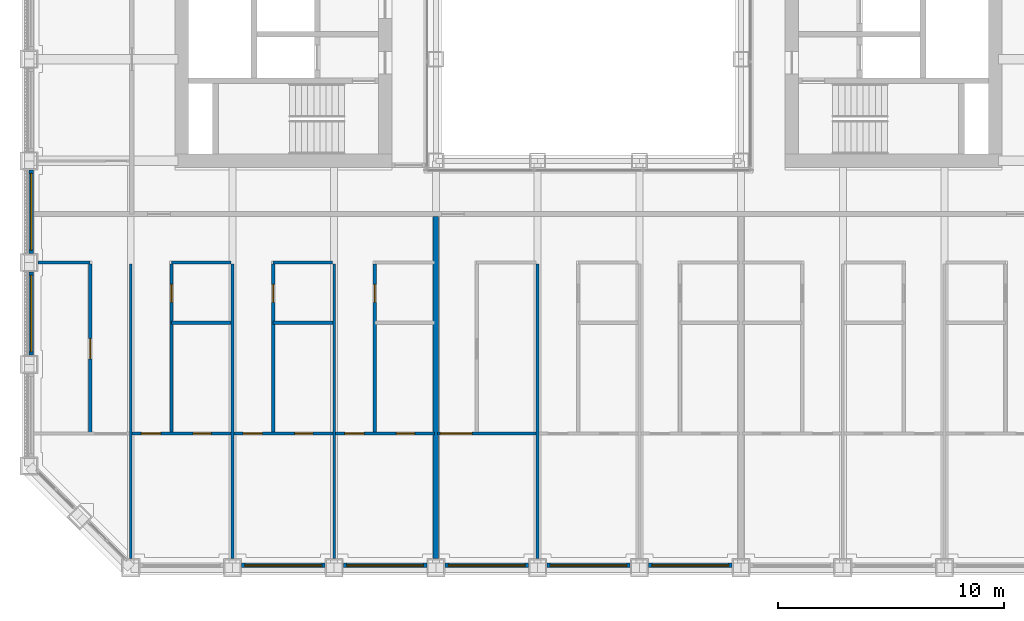
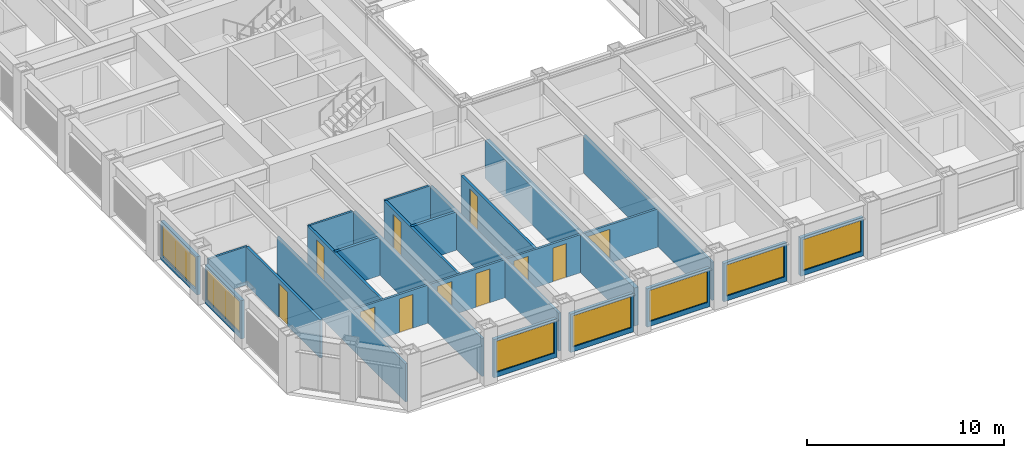
# One storey, part 9 of 21: 25 walls, 11 doors, 7 windows, 18 openings.
"""IFC4 building model written with IfcOpenShell, lengths in metres."""

from ifc_helpers import new_model, si_unit, direction, frame, frame_2d, origin, place, context, subcontext, project, spatial, rectangle, extrude, material, layer, layer_set, type_object, element, fill, save


model = new_model("IFC4")

# Units and contexts
model_context = context("Model", 3, precision=1e-05, world=origin(), true_north=direction((0.0, 1.0)))
body_context = subcontext(model_context, "Body", "Model", "MODEL_VIEW")
ifc_project = project(units=[si_unit("LENGTHUNIT", "METRE"), si_unit("AREAUNIT", "SQUARE_METRE"), si_unit("VOLUMEUNIT", "CUBIC_METRE"), si_unit("PLANEANGLEUNIT", "RADIAN"), si_unit("MASSUNIT", "GRAM", prefix="KILO")], contexts=[model_context])

# Site, building, storey
site_placement = place(None, origin())
site = spatial("IfcSite", under=ifc_project, at=site_placement, CompositionType="ELEMENT")
building_placement = place(site_placement, origin())
building = spatial("IfcBuilding", under=site, at=building_placement, Name="Msasa Ring Tower", CompositionType="ELEMENT")
storey_placement = place(building_placement, frame((0.0, 0.0, 93.0)))
storey = spatial("IfcBuildingStorey", under=building, at=storey_placement, Name="L24", CompositionType="ELEMENT", Elevation=93.0)

# Wall, opening, window
ifc_material_1 = material(Name="Terracotta rainscreen on blockwork", Category="masonry")
ifc_layer_1 = layer(ifc_material_1, 0.199951171875)
ifc_layer_set_1 = layer_set([ifc_layer_1], Name="FW1 TERRACOTTA-LINED INFILL BAY WALL 200")
wall_type_1 = type_object("IfcWallType", Name="FW1 TERRACOTTA-LINED INFILL BAY WALL 200", PredefinedType="SOLIDWALL", material=ifc_layer_set_1)
wall_1_placement = place(storey_placement, frame((-15.344970703125, -24.64990234375, 0.0), z_axis=(0.0, 0.0, 1.0), x_axis=(1.0, 0.0, 0.0)))
wall_1 = element("IfcWall", 1, at=wall_1_placement, inside=storey, type_object=wall_type_1, Name="Infill bay wall S L24 01", PredefinedType="SOLIDWALL", context=body_context, shape_type="SweptSolid", body=[
    extrude(rectangle(XDim=3.68994140625, YDim=0.199951171875, at=frame_2d((1.844970703125, 0.0))), origin(), (0.0, 0.0, 1.0), 2.37890625),
])
opening_1_placement = place(wall_1_placement, frame((0.14501953125, 0.0, 0.300048828125)))
opening_1 = element("IfcOpeningElement", 2, at=opening_1_placement, cuts=wall_1, Name="Opening WN1", PredefinedType="OPENING", context=body_context, shape_type="SweptSolid", body=[
    extrude(rectangle(XDim=3.39990234375, YDim=1.928955078125, at=frame_2d((1.699951171875, 0.96435546875))), frame((0.0, 0.10986328125, 0.0), z_axis=(0.0, -1.0, 0.0), x_axis=(1.0, 0.0, 0.0)), (0.0, 0.0, 1.0), 0.219970703125),
])
ifc_material_2 = material(Name="Aluminium frame with clear glass", Category="aluminium")
window_type = type_object("IfcWindowType", Name="WN1 RESIDENCE WINDOW 3400x1929", PartitioningType="SINGLE_PANEL", PredefinedType="WINDOW", material=ifc_material_2)
window_1_placement = place(opening_1_placement, origin())
window_1 = element("IfcWindow", 3, at=window_1_placement, inside=storey, type_object=window_type, Name="Window S L24 01", OverallHeight=1.928955078125, OverallWidth=3.39990234375, PartitioningType="SINGLE_PANEL", PredefinedType="WINDOW", context=body_context, shape_type="SweptSolid", body=[
    extrude(rectangle(XDim=3.39990234375, YDim=1.928955078125, at=frame_2d((1.699951171875, 0.96435546875))), frame((0.0, 0.030029296875, 0.0), z_axis=(0.0, -1.0, 0.0), x_axis=(1.0, 0.0, 0.0)), (0.0, 0.0, 1.0), 0.06005859375),
])
fill(opening_1, window_1)

wall_2_placement = place(storey_placement, frame((-10.844970703125, -24.64990234375, 0.0), z_axis=(0.0, 0.0, 1.0), x_axis=(1.0, 0.0, 0.0)))
wall_2 = element("IfcWall", 4, at=wall_2_placement, inside=storey, type_object=wall_type_1, Name="Infill bay wall S L24 02", PredefinedType="SOLIDWALL", context=body_context, shape_type="SweptSolid", body=[
    extrude(rectangle(XDim=3.68994140625, YDim=0.199951171875, at=frame_2d((1.844970703125, 0.0))), origin(), (0.0, 0.0, 1.0), 2.37890625),
])
opening_2_placement = place(wall_2_placement, frame((0.14501953125, 0.0, 0.300048828125)))
opening_2 = element("IfcOpeningElement", 5, at=opening_2_placement, cuts=wall_2, Name="Opening WN1", PredefinedType="OPENING", context=body_context, shape_type="SweptSolid", body=[
    extrude(rectangle(XDim=3.39990234375, YDim=1.928955078125, at=frame_2d((1.699951171875, 0.96435546875))), frame((0.0, 0.10986328125, 0.0), z_axis=(0.0, -1.0, 0.0), x_axis=(1.0, 0.0, 0.0)), (0.0, 0.0, 1.0), 0.219970703125),
])
window_2_placement = place(opening_2_placement, origin())
window_2 = element("IfcWindow", 6, at=window_2_placement, inside=storey, type_object=window_type, Name="Window S L24 02", OverallHeight=1.928955078125, OverallWidth=3.39990234375, PartitioningType="SINGLE_PANEL", PredefinedType="WINDOW", context=body_context, shape_type="SweptSolid", body=[
    extrude(rectangle(XDim=3.39990234375, YDim=1.928955078125, at=frame_2d((1.699951171875, 0.96435546875))), frame((0.0, 0.030029296875, 0.0), z_axis=(0.0, -1.0, 0.0), x_axis=(1.0, 0.0, 0.0)), (0.0, 0.0, 1.0), 0.06005859375),
])
fill(opening_2, window_2)

wall_3_placement = place(storey_placement, frame((-6.344970703125, -24.64990234375, 0.0), z_axis=(0.0, 0.0, 1.0), x_axis=(1.0, 0.0, 0.0)))
wall_3 = element("IfcWall", 7, at=wall_3_placement, inside=storey, type_object=wall_type_1, Name="Infill bay wall S L24 03", PredefinedType="SOLIDWALL", context=body_context, shape_type="SweptSolid", body=[
    extrude(rectangle(XDim=3.68994140625, YDim=0.199951171875, at=frame_2d((1.844970703125, 0.0))), origin(), (0.0, 0.0, 1.0), 2.37890625),
])
opening_3_placement = place(wall_3_placement, frame((0.14501953125, 0.0, 0.300048828125)))
opening_3 = element("IfcOpeningElement", 8, at=opening_3_placement, cuts=wall_3, Name="Opening WN1", PredefinedType="OPENING", context=body_context, shape_type="SweptSolid", body=[
    extrude(rectangle(XDim=3.39990234375, YDim=1.928955078125, at=frame_2d((1.699951171875, 0.96435546875))), frame((0.0, 0.10986328125, 0.0), z_axis=(0.0, -1.0, 0.0), x_axis=(1.0, 0.0, 0.0)), (0.0, 0.0, 1.0), 0.219970703125),
])
window_3_placement = place(opening_3_placement, origin())
window_3 = element("IfcWindow", 9, at=window_3_placement, inside=storey, type_object=window_type, Name="Window S L24 03", OverallHeight=1.928955078125, OverallWidth=3.39990234375, PartitioningType="SINGLE_PANEL", PredefinedType="WINDOW", context=body_context, shape_type="SweptSolid", body=[
    extrude(rectangle(XDim=3.39990234375, YDim=1.928955078125, at=frame_2d((1.699951171875, 0.96435546875))), frame((0.0, 0.030029296875, 0.0), z_axis=(0.0, -1.0, 0.0), x_axis=(1.0, 0.0, 0.0)), (0.0, 0.0, 1.0), 0.06005859375),
])
fill(opening_3, window_3)

wall_4_placement = place(storey_placement, frame((-1.844970703125, -24.64990234375, 0.0), z_axis=(0.0, 0.0, 1.0), x_axis=(1.0, 0.0, 0.0)))
wall_4 = element("IfcWall", 10, at=wall_4_placement, inside=storey, type_object=wall_type_1, Name="Infill bay wall S L24 04", PredefinedType="SOLIDWALL", context=body_context, shape_type="SweptSolid", body=[
    extrude(rectangle(XDim=3.68994140625, YDim=0.199951171875, at=frame_2d((1.844970703125, 0.0))), origin(), (0.0, 0.0, 1.0), 2.37890625),
])
opening_4_placement = place(wall_4_placement, frame((0.14501953125, 0.0, 0.300048828125)))
opening_4 = element("IfcOpeningElement", 11, at=opening_4_placement, cuts=wall_4, Name="Opening WN1", PredefinedType="OPENING", context=body_context, shape_type="SweptSolid", body=[
    extrude(rectangle(XDim=3.39990234375, YDim=1.928955078125, at=frame_2d((1.699951171875, 0.96435546875))), frame((0.0, 0.10986328125, 0.0), z_axis=(0.0, -1.0, 0.0), x_axis=(1.0, 0.0, 0.0)), (0.0, 0.0, 1.0), 0.219970703125),
])
window_4_placement = place(opening_4_placement, origin())
window_4 = element("IfcWindow", 12, at=window_4_placement, inside=storey, type_object=window_type, Name="Window S L24 04", OverallHeight=1.928955078125, OverallWidth=3.39990234375, PartitioningType="SINGLE_PANEL", PredefinedType="WINDOW", context=body_context, shape_type="SweptSolid", body=[
    extrude(rectangle(XDim=3.39990234375, YDim=1.928955078125, at=frame_2d((1.699951171875, 0.96435546875))), frame((0.0, 0.030029296875, 0.0), z_axis=(0.0, -1.0, 0.0), x_axis=(1.0, 0.0, 0.0)), (0.0, 0.0, 1.0), 0.06005859375),
])
fill(opening_4, window_4)

wall_5_placement = place(storey_placement, frame((2.655029296875, -24.64990234375, 0.0), z_axis=(0.0, 0.0, 1.0), x_axis=(1.0, 0.0, 0.0)))
wall_5 = element("IfcWall", 13, at=wall_5_placement, inside=storey, type_object=wall_type_1, Name="Infill bay wall S L24 05", PredefinedType="SOLIDWALL", context=body_context, shape_type="SweptSolid", body=[
    extrude(rectangle(XDim=3.68994140625, YDim=0.199951171875, at=frame_2d((1.844970703125, 0.0))), origin(), (0.0, 0.0, 1.0), 2.37890625),
])
opening_5_placement = place(wall_5_placement, frame((0.14501953125, 0.0, 0.300048828125)))
opening_5 = element("IfcOpeningElement", 14, at=opening_5_placement, cuts=wall_5, Name="Opening WN1", PredefinedType="OPENING", context=body_context, shape_type="SweptSolid", body=[
    extrude(rectangle(XDim=3.39990234375, YDim=1.928955078125, at=frame_2d((1.699951171875, 0.96435546875))), frame((0.0, 0.10986328125, 0.0), z_axis=(0.0, -1.0, 0.0), x_axis=(1.0, 0.0, 0.0)), (0.0, 0.0, 1.0), 0.219970703125),
])
window_5_placement = place(opening_5_placement, origin())
window_5 = element("IfcWindow", 15, at=window_5_placement, inside=storey, type_object=window_type, Name="Window S L24 05", OverallHeight=1.928955078125, OverallWidth=3.39990234375, PartitioningType="SINGLE_PANEL", PredefinedType="WINDOW", context=body_context, shape_type="SweptSolid", body=[
    extrude(rectangle(XDim=3.39990234375, YDim=1.928955078125, at=frame_2d((1.699951171875, 0.96435546875))), frame((0.0, 0.030029296875, 0.0), z_axis=(0.0, -1.0, 0.0), x_axis=(1.0, 0.0, 0.0)), (0.0, 0.0, 1.0), 0.06005859375),
])
fill(opening_5, window_5)

wall_6_placement = place(storey_placement, frame((-24.64990234375, -15.344970703125, 0.0), z_axis=(0.0, 0.0, 1.0), x_axis=(0.0, 1.0, 0.0)))
wall_6 = element("IfcWall", 16, at=wall_6_placement, inside=storey, type_object=wall_type_1, Name="Infill bay wall W L24 34", PredefinedType="SOLIDWALL", context=body_context, shape_type="SweptSolid", body=[
    extrude(rectangle(XDim=3.68994140625, YDim=0.199951171875, at=frame_2d((1.844970703125, 0.0))), origin(), (0.0, 0.0, 1.0), 2.37890625),
])
opening_6_placement = place(wall_6_placement, frame((0.14501953125, 0.0, 0.300048828125)))
opening_6 = element("IfcOpeningElement", 17, at=opening_6_placement, cuts=wall_6, Name="Opening WN1", PredefinedType="OPENING", context=body_context, shape_type="SweptSolid", body=[
    extrude(rectangle(XDim=3.39990234375, YDim=1.928955078125, at=frame_2d((1.699951171875, 0.96435546875))), frame((0.0, 0.10986328125, 0.0), z_axis=(0.0, -1.0, 0.0), x_axis=(1.0, 0.0, 0.0)), (0.0, 0.0, 1.0), 0.219970703125),
])
window_6_placement = place(opening_6_placement, origin())
window_6 = element("IfcWindow", 18, at=window_6_placement, inside=storey, type_object=window_type, Name="Window W L24 34", OverallHeight=1.928955078125, OverallWidth=3.39990234375, PartitioningType="SINGLE_PANEL", PredefinedType="WINDOW", context=body_context, shape_type="SweptSolid", body=[
    extrude(rectangle(XDim=3.39990234375, YDim=1.928955078125, at=frame_2d((1.699951171875, 0.96435546875))), frame((0.0, 0.030029296875, 0.0), z_axis=(0.0, -1.0, 0.0), x_axis=(1.0, 0.0, 0.0)), (0.0, 0.0, 1.0), 0.06005859375),
])
fill(opening_6, window_6)

wall_7_placement = place(storey_placement, frame((-24.64990234375, -10.844970703125, 0.0), z_axis=(0.0, 0.0, 1.0), x_axis=(0.0, 1.0, 0.0)))
wall_7 = element("IfcWall", 19, at=wall_7_placement, inside=storey, type_object=wall_type_1, Name="Infill bay wall W L24 35", PredefinedType="SOLIDWALL", context=body_context, shape_type="SweptSolid", body=[
    extrude(rectangle(XDim=3.68994140625, YDim=0.199951171875, at=frame_2d((1.844970703125, 0.0))), origin(), (0.0, 0.0, 1.0), 2.37890625),
])
opening_7_placement = place(wall_7_placement, frame((0.14501953125, 0.0, 0.300048828125)))
opening_7 = element("IfcOpeningElement", 20, at=opening_7_placement, cuts=wall_7, Name="Opening WN1", PredefinedType="OPENING", context=body_context, shape_type="SweptSolid", body=[
    extrude(rectangle(XDim=3.39990234375, YDim=1.928955078125, at=frame_2d((1.699951171875, 0.96435546875))), frame((0.0, 0.10986328125, 0.0), z_axis=(0.0, -1.0, 0.0), x_axis=(1.0, 0.0, 0.0)), (0.0, 0.0, 1.0), 0.219970703125),
])
window_7_placement = place(opening_7_placement, origin())
window_7 = element("IfcWindow", 21, at=window_7_placement, inside=storey, type_object=window_type, Name="Window W L24 35", OverallHeight=1.928955078125, OverallWidth=3.39990234375, PartitioningType="SINGLE_PANEL", PredefinedType="WINDOW", context=body_context, shape_type="SweptSolid", body=[
    extrude(rectangle(XDim=3.39990234375, YDim=1.928955078125, at=frame_2d((1.699951171875, 0.96435546875))), frame((0.0, 0.030029296875, 0.0), z_axis=(0.0, -1.0, 0.0), x_axis=(1.0, 0.0, 0.0)), (0.0, 0.0, 1.0), 0.06005859375),
])
fill(opening_7, window_7)

# Wall
ifc_material_3 = material(Name="Dense concrete blockwork, plastered both faces", Category="masonry")
ifc_layer_2 = layer(ifc_material_3, 0.25)
ifc_layer_set_2 = layer_set([ifc_layer_2], Name="PT3 APARTMENT SEPARATING WALL 250")
wall_type_2 = type_object("IfcWallType", Name="PT3 APARTMENT SEPARATING WALL 250", PredefinedType="PARTITIONING", material=ifc_layer_set_2)
wall_8_placement = place(storey_placement, frame((-6.75, -24.35009765625, 0.0), z_axis=(0.0, 0.0, 1.0), x_axis=(0.0, 1.0, 0.0)))
element("IfcWall", 22, at=wall_8_placement, inside=storey, type_object=wall_type_2, Name="Party wall L24-PWS-6.75", PredefinedType="PARTITIONING", context=body_context, shape_type="SweptSolid", body=[
    extrude(rectangle(XDim=15.150146484375, YDim=0.25, at=frame_2d((7.5751953125, 0.0))), origin(), (0.0, 0.0, 1.0), 2.373291015625),
])

# Wall, opening, door
ifc_material_4 = material(Name="Moisture-resistant board on steel studs with a concealed cistern and pipe void, tiled", Category="steel")
ifc_layer_3 = layer(ifc_material_4, 0.14990234375)
ifc_layer_set_3 = layer_set([ifc_layer_3], Name="PT4 BATHROOM WET WALL 150")
wall_type_3 = type_object("IfcWallType", Name="PT4 BATHROOM WET WALL 150", PredefinedType="PARTITIONING", material=ifc_layer_set_3)
wall_9_placement = place(storey_placement, frame((-22.050048828125, -18.8125, 0.0), z_axis=(0.0, 0.0, 1.0), x_axis=(0.0, 1.0, 0.0)))
wall_9 = element("IfcWall", 23, at=wall_9_placement, inside=storey, type_object=wall_type_3, Name="Partition L24-US00SX0", PredefinedType="PARTITIONING", context=body_context, shape_type="SweptSolid", body=[
    extrude(rectangle(XDim=7.5, YDim=0.14990234375, at=frame_2d((3.75, 0.0))), origin(), (0.0, 0.0, 1.0), 2.373291015625),
])
opening_8_placement = place(wall_9_placement, frame((3.300048828125, 0.0, 0.0)))
opening_8 = element("IfcOpeningElement", 24, at=opening_8_placement, cuts=wall_9, Name="Opening RG-061", PredefinedType="OPENING", context=body_context, shape_type="SweptSolid", body=[
    extrude(rectangle(XDim=0.89990234375, YDim=2.10009765625, at=frame_2d((0.449951171875, 1.050048828125))), frame((0.0, 0.0849609375, 0.0), z_axis=(0.0, -1.0, 0.0), x_axis=(1.0, 0.0, 0.0)), (0.0, 0.0, 1.0), 0.169921875),
])
ifc_material_5 = material(Name="Timber door leaf in a steel frame", Category="steel")
door_type_1 = type_object("IfcDoorType", Name="D22 INTERNAL HALL DOOR 900x2100", OperationType="SINGLE_SWING_LEFT", PredefinedType="DOOR", material=ifc_material_5)
door_1_placement = place(opening_8_placement, origin())
door_1 = element("IfcDoor", 25, at=door_1_placement, inside=storey, type_object=door_type_1, Name="Door L24-US00K", OperationType="SINGLE_SWING_LEFT", OverallHeight=2.10009765625, OverallWidth=0.89990234375, PredefinedType="DOOR", context=body_context, shape_type="SweptSolid", body=[
    extrude(rectangle(XDim=0.89990234375, YDim=2.10009765625, at=frame_2d((0.449951171875, 1.050048828125))), frame((0.0, 0.02490234375, 0.0), z_axis=(0.0, -1.0, 0.0), x_axis=(1.0, 0.0, 0.0)), (0.0, 0.0, 1.0), 0.050048828125),
])
fill(opening_8, door_1)

wall_10_placement = place(storey_placement, frame((-18.449951171875, -18.8125, 0.0), z_axis=(0.0, 0.0, 1.0), x_axis=(0.0, 1.0, 0.0)))
wall_10 = element("IfcWall", 26, at=wall_10_placement, inside=storey, type_object=wall_type_3, Name="Partition L24-US00SX1", PredefinedType="PARTITIONING", context=body_context, shape_type="SweptSolid", body=[
    extrude(rectangle(XDim=7.5, YDim=0.14990234375, at=frame_2d((3.75, 0.0))), origin(), (0.0, 0.0, 1.0), 2.373291015625),
])
opening_9_placement = place(wall_10_placement, frame((5.800048828125, 0.0, 0.0)))
opening_9 = element("IfcOpeningElement", 27, at=opening_9_placement, cuts=wall_10, Name="Opening RG-053", PredefinedType="OPENING", context=body_context, shape_type="SweptSolid", body=[
    extrude(rectangle(XDim=0.800048828125, YDim=2.10009765625, at=frame_2d((0.39990234375, 1.050048828125))), frame((0.0, 0.0849609375, 0.0), z_axis=(0.0, -1.0, 0.0), x_axis=(1.0, 0.0, 0.0)), (0.0, 0.0, 1.0), 0.169921875),
])
ifc_material_6 = material(Name="Timber door leaf in a steel frame", Category="steel")
door_type_2 = type_object("IfcDoorType", Name="D21 POCKET SLIDING BATHROOM DOOR 800x2100", OperationType="SINGLE_SWING_LEFT", PredefinedType="DOOR", material=ifc_material_6)
door_2_placement = place(opening_9_placement, origin())
door_2 = element("IfcDoor", 28, at=door_2_placement, inside=storey, type_object=door_type_2, Name="Door L24-US00B1", OperationType="SINGLE_SWING_RIGHT", OverallHeight=2.10009765625, OverallWidth=0.800048828125, PredefinedType="DOOR", context=body_context, shape_type="SweptSolid", body=[
    extrude(rectangle(XDim=0.800048828125, YDim=2.10009765625, at=frame_2d((0.39990234375, 1.050048828125))), frame((0.0, 0.02490234375, 0.0), z_axis=(0.0, -1.0, 0.0), x_axis=(1.0, 0.0, 0.0)), (0.0, 0.0, 1.0), 0.050048828125),
])
fill(opening_9, door_2)

# Wall
wall_11_placement = place(storey_placement, frame((-18.449951171875, -13.91259765625, 0.0), z_axis=(0.0, 0.0, 1.0), x_axis=(1.0, 0.0, 0.0)))
element("IfcWall", 29, at=wall_11_placement, inside=storey, type_object=wall_type_3, Name="Partition L24-US00SB1", PredefinedType="PARTITIONING", context=body_context, shape_type="SweptSolid", body=[
    extrude(rectangle(XDim=2.637451171875, YDim=0.14990234375, at=frame_2d((1.31884765625, 0.0))), origin(), (0.0, 0.0, 1.0), 2.373291015625),
])

# Wall, opening, door
wall_12_placement = place(storey_placement, frame((-13.949951171875, -18.8125, 0.0), z_axis=(0.0, 0.0, 1.0), x_axis=(0.0, 1.0, 0.0)))
wall_12 = element("IfcWall", 30, at=wall_12_placement, inside=storey, type_object=wall_type_3, Name="Partition L24-US00SX2", PredefinedType="PARTITIONING", context=body_context, shape_type="SweptSolid", body=[
    extrude(rectangle(XDim=7.5, YDim=0.14990234375, at=frame_2d((3.75, 0.0))), origin(), (0.0, 0.0, 1.0), 2.373291015625),
])
opening_10_placement = place(wall_12_placement, frame((5.800048828125, 0.0, 0.0)))
opening_10 = element("IfcOpeningElement", 31, at=opening_10_placement, cuts=wall_12, Name="Opening RG-054", PredefinedType="OPENING", context=body_context, shape_type="SweptSolid", body=[
    extrude(rectangle(XDim=0.800048828125, YDim=2.10009765625, at=frame_2d((0.39990234375, 1.050048828125))), frame((0.0, 0.0849609375, 0.0), z_axis=(0.0, -1.0, 0.0), x_axis=(1.0, 0.0, 0.0)), (0.0, 0.0, 1.0), 0.169921875),
])
door_3_placement = place(opening_10_placement, origin())
door_3 = element("IfcDoor", 32, at=door_3_placement, inside=storey, type_object=door_type_2, Name="Door L24-US00B2", OperationType="SINGLE_SWING_RIGHT", OverallHeight=2.10009765625, OverallWidth=0.800048828125, PredefinedType="DOOR", context=body_context, shape_type="SweptSolid", body=[
    extrude(rectangle(XDim=0.800048828125, YDim=2.10009765625, at=frame_2d((0.39990234375, 1.050048828125))), frame((0.0, 0.02490234375, 0.0), z_axis=(0.0, -1.0, 0.0), x_axis=(1.0, 0.0, 0.0)), (0.0, 0.0, 1.0), 0.050048828125),
])
fill(opening_10, door_3)

# Wall
wall_13_placement = place(storey_placement, frame((-13.949951171875, -13.91259765625, 0.0), z_axis=(0.0, 0.0, 1.0), x_axis=(1.0, 0.0, 0.0)))
element("IfcWall", 33, at=wall_13_placement, inside=storey, type_object=wall_type_3, Name="Partition L24-US00SB2", PredefinedType="PARTITIONING", context=body_context, shape_type="SweptSolid", body=[
    extrude(rectangle(XDim=2.637451171875, YDim=0.14990234375, at=frame_2d((1.31884765625, 0.0))), origin(), (0.0, 0.0, 1.0), 2.373291015625),
])

# Wall, opening, door
wall_14_placement = place(storey_placement, frame((-9.449951171875, -18.8125, 0.0), z_axis=(0.0, 0.0, 1.0), x_axis=(0.0, 1.0, 0.0)))
wall_14 = element("IfcWall", 34, at=wall_14_placement, inside=storey, type_object=wall_type_3, Name="Partition L24-US00SX3", PredefinedType="PARTITIONING", context=body_context, shape_type="SweptSolid", body=[
    extrude(rectangle(XDim=7.5, YDim=0.14990234375, at=frame_2d((3.75, 0.0))), origin(), (0.0, 0.0, 1.0), 2.373291015625),
])
opening_11_placement = place(wall_14_placement, frame((5.800048828125, 0.0, 0.0)))
opening_11 = element("IfcOpeningElement", 35, at=opening_11_placement, cuts=wall_14, Name="Opening RG-055", PredefinedType="OPENING", context=body_context, shape_type="SweptSolid", body=[
    extrude(rectangle(XDim=0.800048828125, YDim=2.10009765625, at=frame_2d((0.39990234375, 1.050048828125))), frame((0.0, 0.0849609375, 0.0), z_axis=(0.0, -1.0, 0.0), x_axis=(1.0, 0.0, 0.0)), (0.0, 0.0, 1.0), 0.169921875),
])
door_4_placement = place(opening_11_placement, origin())
door_4 = element("IfcDoor", 36, at=door_4_placement, inside=storey, type_object=door_type_2, Name="Door L24-US00B3", OperationType="SINGLE_SWING_RIGHT", OverallHeight=2.10009765625, OverallWidth=0.800048828125, PredefinedType="DOOR", context=body_context, shape_type="SweptSolid", body=[
    extrude(rectangle(XDim=0.800048828125, YDim=2.10009765625, at=frame_2d((0.39990234375, 1.050048828125))), frame((0.0, 0.02490234375, 0.0), z_axis=(0.0, -1.0, 0.0), x_axis=(1.0, 0.0, 0.0)), (0.0, 0.0, 1.0), 0.050048828125),
])
fill(opening_11, door_4)

# Walls
ifc_material_7 = material(Name="Two layers of acoustic board each face on steel studs, mineral wool", Category="steel")
ifc_layer_4 = layer(ifc_material_7, 0.125)
ifc_layer_set_4 = layer_set([ifc_layer_4], Name="PT6 ACOUSTIC DOUBLE-BOARD PARTITION 125")
wall_type_4 = type_object("IfcWallType", Name="PT6 ACOUSTIC DOUBLE-BOARD PARTITION 125", PredefinedType="PARTITIONING", material=ifc_layer_set_4)
wall_15_placement = place(storey_placement, frame((-24.35009765625, -11.25, 0.0), z_axis=(0.0, 0.0, 1.0), x_axis=(1.0, 0.0, 0.0)))
element("IfcWall", 37, at=wall_15_placement, inside=storey, type_object=wall_type_4, Name="Partition L24-US00HY0", PredefinedType="PARTITIONING", context=body_context, shape_type="SweptSolid", body=[
    extrude(rectangle(XDim=2.300048828125, YDim=0.125, at=frame_2d((1.14990234375, 0.0))), origin(), (0.0, 0.0, 1.0), 2.373291015625),
])
wall_16_placement = place(storey_placement, frame((-20.25, -24.35009765625, 0.0), z_axis=(0.0, 0.0, 1.0), x_axis=(0.0, 1.0, 0.0)))
element("IfcWall", 38, at=wall_16_placement, inside=storey, type_object=wall_type_4, Name="Partition L24-US00P1", PredefinedType="PARTITIONING", context=body_context, shape_type="SweptSolid", body=[
    extrude(rectangle(XDim=13.03759765625, YDim=0.125, at=frame_2d((6.518798828125, 0.0))), origin(), (0.0, 0.0, 1.0), 2.373291015625),
])
wall_17_placement = place(storey_placement, frame((-18.449951171875, -11.25, 0.0), z_axis=(0.0, 0.0, 1.0), x_axis=(1.0, 0.0, 0.0)))
element("IfcWall", 39, at=wall_17_placement, inside=storey, type_object=wall_type_4, Name="Partition L24-US00HY1", PredefinedType="PARTITIONING", context=body_context, shape_type="SweptSolid", body=[
    extrude(rectangle(XDim=2.632568359375, YDim=0.125, at=frame_2d((1.31640625, 0.0))), origin(), (0.0, 0.0, 1.0), 2.373291015625),
])

# Wall, openings, doors
wall_18_placement = place(storey_placement, frame((-20.1875, -18.8125, 0.0), z_axis=(0.0, 0.0, 1.0), x_axis=(1.0, 0.0, 0.0)))
wall_18 = element("IfcWall", 40, at=wall_18_placement, inside=storey, type_object=wall_type_4, Name="Partition L24-US00SY1", PredefinedType="PARTITIONING", context=body_context, shape_type="SweptSolid", body=[
    extrude(rectangle(XDim=4.375, YDim=0.125, at=frame_2d((2.1875, 0.0))), origin(), (0.0, 0.0, 1.0), 2.373291015625),
])
opening_12_placement = place(wall_18_placement, frame((0.41259765625, 0.0, 0.0)))
opening_12 = element("IfcOpeningElement", 41, at=opening_12_placement, cuts=wall_18, Name="Opening RG-065", PredefinedType="OPENING", context=body_context, shape_type="SweptSolid", body=[
    extrude(rectangle(XDim=0.85009765625, YDim=2.10009765625, at=frame_2d((0.425048828125, 1.050048828125))), frame((0.0, 0.072509765625, 0.0), z_axis=(0.0, -1.0, 0.0), x_axis=(1.0, 0.0, 0.0)), (0.0, 0.0, 1.0), 0.14501953125),
])
opening_13_placement = place(wall_18_placement, frame((2.693603515625, 0.0, 0.0)))
opening_13 = element("IfcOpeningElement", 42, at=opening_13_placement, cuts=wall_18, Name="Opening RG-066", PredefinedType="OPENING", context=body_context, shape_type="SweptSolid", body=[
    extrude(rectangle(XDim=0.800048828125, YDim=2.10009765625, at=frame_2d((0.39990234375, 1.050048828125))), frame((0.0, 0.072509765625, 0.0), z_axis=(0.0, -1.0, 0.0), x_axis=(1.0, 0.0, 0.0)), (0.0, 0.0, 1.0), 0.14501953125),
])
ifc_material_8 = material(Name="Timber door leaf in a steel frame", Category="steel")
door_type_3 = type_object("IfcDoorType", Name="D14 BEDROOM DOOR 850x2100", OperationType="SINGLE_SWING_LEFT", PredefinedType="DOOR", material=ifc_material_8)
door_5_placement = place(opening_12_placement, origin())
door_5 = element("IfcDoor", 43, at=door_5_placement, inside=storey, type_object=door_type_3, Name="Door L24-US00R1", OperationType="SINGLE_SWING_LEFT", OverallHeight=2.10009765625, OverallWidth=0.85009765625, PredefinedType="DOOR", context=body_context, shape_type="SweptSolid", body=[
    extrude(rectangle(XDim=0.85009765625, YDim=2.10009765625, at=frame_2d((0.425048828125, 1.050048828125))), frame((0.0, 0.02490234375, 0.0), z_axis=(0.0, -1.0, 0.0), x_axis=(1.0, 0.0, 0.0)), (0.0, 0.0, 1.0), 0.050048828125),
])
fill(opening_12, door_5)
ifc_material_9 = material(Name="Timber door leaf in a steel frame", Category="steel")
door_type_4 = type_object("IfcDoorType", Name="D60 DRESSING ROOM DOOR 800x2100", OperationType="SINGLE_SWING_LEFT", PredefinedType="DOOR", material=ifc_material_9)
door_6_placement = place(opening_13_placement, origin())
door_6 = element("IfcDoor", 44, at=door_6_placement, inside=storey, type_object=door_type_4, Name="Door L24-US00W1", OperationType="SINGLE_SWING_RIGHT", OverallHeight=2.10009765625, OverallWidth=0.800048828125, PredefinedType="DOOR", context=body_context, shape_type="SweptSolid", body=[
    extrude(rectangle(XDim=0.800048828125, YDim=2.10009765625, at=frame_2d((0.39990234375, 1.050048828125))), frame((0.0, 0.02490234375, 0.0), z_axis=(0.0, -1.0, 0.0), x_axis=(1.0, 0.0, 0.0)), (0.0, 0.0, 1.0), 0.050048828125),
])
fill(opening_13, door_6)

# Walls
wall_19_placement = place(storey_placement, frame((-15.75, -24.35009765625, 0.0), z_axis=(0.0, 0.0, 1.0), x_axis=(0.0, 1.0, 0.0)))
element("IfcWall", 45, at=wall_19_placement, inside=storey, type_object=wall_type_4, Name="Partition L24-US00P2", PredefinedType="PARTITIONING", context=body_context, shape_type="SweptSolid", body=[
    extrude(rectangle(XDim=13.03759765625, YDim=0.125, at=frame_2d((6.518798828125, 0.0))), origin(), (0.0, 0.0, 1.0), 2.373291015625),
])
wall_20_placement = place(storey_placement, frame((-13.949951171875, -11.25, 0.0), z_axis=(0.0, 0.0, 1.0), x_axis=(1.0, 0.0, 0.0)))
element("IfcWall", 46, at=wall_20_placement, inside=storey, type_object=wall_type_4, Name="Partition L24-US00HY2", PredefinedType="PARTITIONING", context=body_context, shape_type="SweptSolid", body=[
    extrude(rectangle(XDim=2.632568359375, YDim=0.125, at=frame_2d((1.31640625, 0.0))), origin(), (0.0, 0.0, 1.0), 2.373291015625),
])

# Wall, openings, doors
wall_21_placement = place(storey_placement, frame((-15.6875, -18.8125, 0.0), z_axis=(0.0, 0.0, 1.0), x_axis=(1.0, 0.0, 0.0)))
wall_21 = element("IfcWall", 47, at=wall_21_placement, inside=storey, type_object=wall_type_4, Name="Partition L24-US00SY2", PredefinedType="PARTITIONING", context=body_context, shape_type="SweptSolid", body=[
    extrude(rectangle(XDim=4.375, YDim=0.125, at=frame_2d((2.1875, 0.0))), origin(), (0.0, 0.0, 1.0), 2.373291015625),
])
opening_14_placement = place(wall_21_placement, frame((0.41259765625, 0.0, 0.0)))
opening_14 = element("IfcOpeningElement", 48, at=opening_14_placement, cuts=wall_21, Name="Opening RG-067", PredefinedType="OPENING", context=body_context, shape_type="SweptSolid", body=[
    extrude(rectangle(XDim=0.85009765625, YDim=2.10009765625, at=frame_2d((0.425048828125, 1.050048828125))), frame((0.0, 0.072509765625, 0.0), z_axis=(0.0, -1.0, 0.0), x_axis=(1.0, 0.0, 0.0)), (0.0, 0.0, 1.0), 0.14501953125),
])
opening_15_placement = place(wall_21_placement, frame((2.693603515625, 0.0, 0.0)))
opening_15 = element("IfcOpeningElement", 49, at=opening_15_placement, cuts=wall_21, Name="Opening RG-068", PredefinedType="OPENING", context=body_context, shape_type="SweptSolid", body=[
    extrude(rectangle(XDim=0.800048828125, YDim=2.10009765625, at=frame_2d((0.39990234375, 1.050048828125))), frame((0.0, 0.072509765625, 0.0), z_axis=(0.0, -1.0, 0.0), x_axis=(1.0, 0.0, 0.0)), (0.0, 0.0, 1.0), 0.14501953125),
])
door_7_placement = place(opening_14_placement, origin())
door_7 = element("IfcDoor", 50, at=door_7_placement, inside=storey, type_object=door_type_3, Name="Door L24-US00R2", OperationType="SINGLE_SWING_LEFT", OverallHeight=2.10009765625, OverallWidth=0.85009765625, PredefinedType="DOOR", context=body_context, shape_type="SweptSolid", body=[
    extrude(rectangle(XDim=0.85009765625, YDim=2.10009765625, at=frame_2d((0.425048828125, 1.050048828125))), frame((0.0, 0.02490234375, 0.0), z_axis=(0.0, -1.0, 0.0), x_axis=(1.0, 0.0, 0.0)), (0.0, 0.0, 1.0), 0.050048828125),
])
fill(opening_14, door_7)
door_8_placement = place(opening_15_placement, origin())
door_8 = element("IfcDoor", 51, at=door_8_placement, inside=storey, type_object=door_type_4, Name="Door L24-US00W2", OperationType="SINGLE_SWING_RIGHT", OverallHeight=2.10009765625, OverallWidth=0.800048828125, PredefinedType="DOOR", context=body_context, shape_type="SweptSolid", body=[
    extrude(rectangle(XDim=0.800048828125, YDim=2.10009765625, at=frame_2d((0.39990234375, 1.050048828125))), frame((0.0, 0.02490234375, 0.0), z_axis=(0.0, -1.0, 0.0), x_axis=(1.0, 0.0, 0.0)), (0.0, 0.0, 1.0), 0.050048828125),
])
fill(opening_15, door_8)

# Wall
wall_22_placement = place(storey_placement, frame((-11.25, -24.35009765625, 0.0), z_axis=(0.0, 0.0, 1.0), x_axis=(0.0, 1.0, 0.0)))
element("IfcWall", 52, at=wall_22_placement, inside=storey, type_object=wall_type_4, Name="Partition L24-US00P3", PredefinedType="PARTITIONING", context=body_context, shape_type="SweptSolid", body=[
    extrude(rectangle(XDim=13.03759765625, YDim=0.125, at=frame_2d((6.518798828125, 0.0))), origin(), (0.0, 0.0, 1.0), 2.373291015625),
])

# Wall, openings, doors
wall_23_placement = place(storey_placement, frame((-11.1875, -18.8125, 0.0), z_axis=(0.0, 0.0, 1.0), x_axis=(1.0, 0.0, 0.0)))
wall_23 = element("IfcWall", 53, at=wall_23_placement, inside=storey, type_object=wall_type_4, Name="Partition L24-US00SY3", PredefinedType="PARTITIONING", context=body_context, shape_type="SweptSolid", body=[
    extrude(rectangle(XDim=4.3701171875, YDim=0.125, at=frame_2d((2.18505859375, 0.0))), origin(), (0.0, 0.0, 1.0), 2.373291015625),
])
opening_16_placement = place(wall_23_placement, frame((0.41259765625, 0.0, 0.0)))
opening_16 = element("IfcOpeningElement", 54, at=opening_16_placement, cuts=wall_23, Name="Opening RG-069", PredefinedType="OPENING", context=body_context, shape_type="SweptSolid", body=[
    extrude(rectangle(XDim=0.85009765625, YDim=2.10009765625, at=frame_2d((0.425048828125, 1.050048828125))), frame((0.0, 0.072509765625, 0.0), z_axis=(0.0, -1.0, 0.0), x_axis=(1.0, 0.0, 0.0)), (0.0, 0.0, 1.0), 0.14501953125),
])
opening_17_placement = place(wall_23_placement, frame((2.693603515625, 0.0, 0.0)))
opening_17 = element("IfcOpeningElement", 55, at=opening_17_placement, cuts=wall_23, Name="Opening RG-070", PredefinedType="OPENING", context=body_context, shape_type="SweptSolid", body=[
    extrude(rectangle(XDim=0.800048828125, YDim=2.10009765625, at=frame_2d((0.39990234375, 1.050048828125))), frame((0.0, 0.072509765625, 0.0), z_axis=(0.0, -1.0, 0.0), x_axis=(1.0, 0.0, 0.0)), (0.0, 0.0, 1.0), 0.14501953125),
])
door_9_placement = place(opening_16_placement, origin())
door_9 = element("IfcDoor", 56, at=door_9_placement, inside=storey, type_object=door_type_3, Name="Door L24-US00R3", OperationType="SINGLE_SWING_LEFT", OverallHeight=2.10009765625, OverallWidth=0.85009765625, PredefinedType="DOOR", context=body_context, shape_type="SweptSolid", body=[
    extrude(rectangle(XDim=0.85009765625, YDim=2.10009765625, at=frame_2d((0.425048828125, 1.050048828125))), frame((0.0, 0.02490234375, 0.0), z_axis=(0.0, -1.0, 0.0), x_axis=(1.0, 0.0, 0.0)), (0.0, 0.0, 1.0), 0.050048828125),
])
fill(opening_16, door_9)
door_10_placement = place(opening_17_placement, origin())
door_10 = element("IfcDoor", 57, at=door_10_placement, inside=storey, type_object=door_type_4, Name="Door L24-US00W3", OperationType="SINGLE_SWING_RIGHT", OverallHeight=2.10009765625, OverallWidth=0.800048828125, PredefinedType="DOOR", context=body_context, shape_type="SweptSolid", body=[
    extrude(rectangle(XDim=0.800048828125, YDim=2.10009765625, at=frame_2d((0.39990234375, 1.050048828125))), frame((0.0, 0.02490234375, 0.0), z_axis=(0.0, -1.0, 0.0), x_axis=(1.0, 0.0, 0.0)), (0.0, 0.0, 1.0), 0.050048828125),
])
fill(opening_17, door_10)

# Wall, opening, door
wall_24_placement = place(storey_placement, frame((-6.6826171875, -18.8125, 0.0), z_axis=(0.0, 0.0, 1.0), x_axis=(1.0, 0.0, 0.0)))
wall_24 = element("IfcWall", 58, at=wall_24_placement, inside=storey, type_object=wall_type_4, Name="Partition L24-US01SY0", PredefinedType="PARTITIONING", context=body_context, shape_type="SweptSolid", body=[
    extrude(rectangle(XDim=4.3701171875, YDim=0.125, at=frame_2d((2.18505859375, 0.0))), origin(), (0.0, 0.0, 1.0), 2.373291015625),
])
opening_18_placement = place(wall_24_placement, frame((0.132568359375, 0.0, 0.0)))
opening_18 = element("IfcOpeningElement", 59, at=opening_18_placement, cuts=wall_24, Name="Opening RG-071", PredefinedType="OPENING", context=body_context, shape_type="SweptSolid", body=[
    extrude(rectangle(XDim=1.39990234375, YDim=2.10009765625, at=frame_2d((0.699951171875, 1.050048828125))), frame((0.0, 0.072509765625, 0.0), z_axis=(0.0, -1.0, 0.0), x_axis=(1.0, 0.0, 0.0)), (0.0, 0.0, 1.0), 0.14501953125),
])
ifc_material_10 = material(Name="Timber door leaf in a steel frame", Category="steel")
door_type_5 = type_object("IfcDoorType", Name="D15 LIVING ROOM PAIR OF GLAZED DOORS 1400x2100", OperationType="SINGLE_SWING_LEFT", PredefinedType="DOOR", material=ifc_material_10)
door_11_placement = place(opening_18_placement, origin())
door_11 = element("IfcDoor", 60, at=door_11_placement, inside=storey, type_object=door_type_5, Name="Door L24-US01L", OperationType="SINGLE_SWING_LEFT", OverallHeight=2.10009765625, OverallWidth=1.39990234375, PredefinedType="DOOR", context=body_context, shape_type="SweptSolid", body=[
    extrude(rectangle(XDim=1.39990234375, YDim=2.10009765625, at=frame_2d((0.699951171875, 1.050048828125))), frame((0.0, 0.02490234375, 0.0), z_axis=(0.0, -1.0, 0.0), x_axis=(1.0, 0.0, 0.0)), (0.0, 0.0, 1.0), 0.050048828125),
])
fill(opening_18, door_11)

# Wall
wall_25_placement = place(storey_placement, frame((-2.25, -24.35009765625, 0.0), z_axis=(0.0, 0.0, 1.0), x_axis=(0.0, 1.0, 0.0)))
element("IfcWall", 61, at=wall_25_placement, inside=storey, type_object=wall_type_4, Name="Partition L24-US01P1", PredefinedType="PARTITIONING", context=body_context, shape_type="SweptSolid", body=[
    extrude(rectangle(XDim=13.03759765625, YDim=0.125, at=frame_2d((6.518798828125, 0.0))), origin(), (0.0, 0.0, 1.0), 2.373291015625),
])

save(model, "model.ifc")
